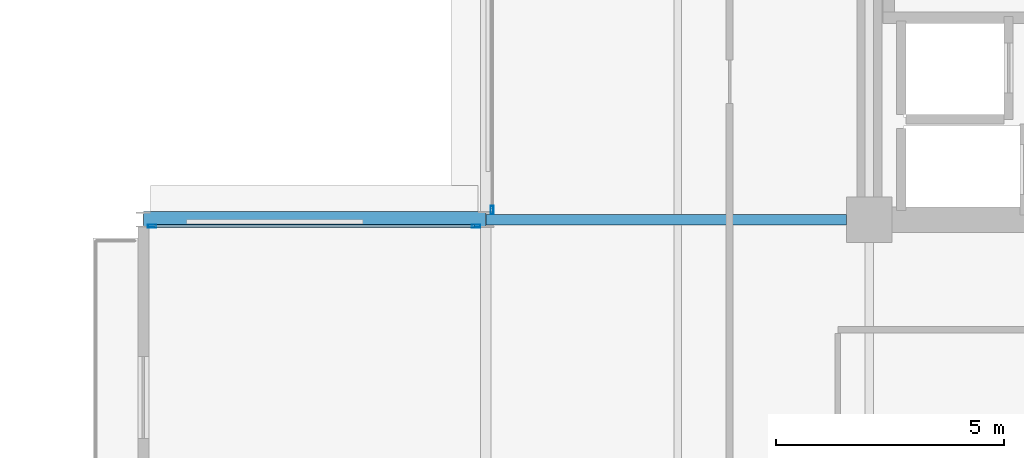
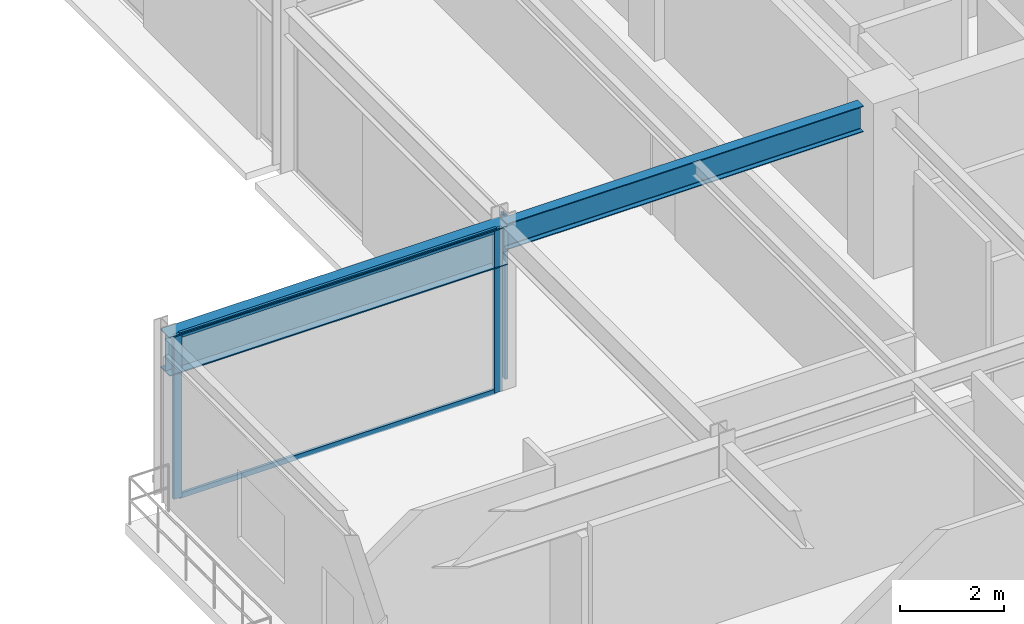
# One storey, part 9 of 29: 5 members, 2 beams, 2 elements without a shape of their own.
"""IFC4 building model written with IfcOpenShell, lengths in metres."""

import ifcopenshell
import ifcopenshell.guid

model = None  # the IFC model being written
_history = None  # IfcOwnerHistory: only IFC2X3 demands one
_inside = {}  # id of a spatial element -> (the spatial element, [elements in it])
_under = {}  # id of a project, library or spatial element -> (it, [spatial elements below it])
_declared = {}  # id of a project -> (the project, [libraries it declares])
_typed = {}  # id of a type object -> (the type object, [elements of that type])
_made_of = {}  # id of a material, layer set ... -> (it, [elements and type objects made of it])


def new_model(schema):
    """Start an empty IFC model of exactly this schema.

    Asked for "IFC4X3", IfcOpenShell would pick the latest addendum, in which some entities
    have other attributes; the version numbers below select the first issue.
    IFC2X3 requires an IfcOwnerHistory on every rooted entity: one is made here for all.
    """
    global model, _history
    if schema == "IFC4X3":
        model = ifcopenshell.file(schema_version=(4, 3, 0, 0))
    else:
        model = ifcopenshell.file(schema=schema)
    _inside.clear()
    _under.clear()
    _declared.clear()
    _typed.clear()
    _made_of.clear()
    _history = None
    if model.schema == "IFC2X3":
        org = make("IfcOrganization", Name="unknown")
        user = make(
            "IfcPersonAndOrganization",
            ThePerson=make("IfcPerson", FamilyName="unknown"),
            TheOrganization=org,
        )
        app = make(
            "IfcApplication",
            ApplicationDeveloper=org,
            Version="unknown",
            ApplicationFullName="unknown",
            ApplicationIdentifier="unknown",
        )
        _history = make(
            "IfcOwnerHistory",
            OwningUser=user,
            OwningApplication=app,
            ChangeAction="ADDED",
            CreationDate=0,
        )
    return model


def make(cls, **values):
    """One entity of the class cls with the attributes given. An attribute that is None is left unset."""
    return model.create_entity(
        cls, **{name: value for name, value in values.items() if value is not None}
    )


def rooted(cls, **values):
    """An entity with a GlobalId (a new one), such as an element, a storey or a relation."""
    return make(cls, GlobalId=ifcopenshell.guid.new(), OwnerHistory=_history, **values)


def si_unit(unit_type, name, prefix=None):
    """IfcSIUnit, for example si_unit("LENGTHUNIT", "METRE", prefix="MILLI")."""
    return make("IfcSIUnit", UnitType=unit_type, Prefix=prefix, Name=name)


def assignment(units):
    """IfcUnitAssignment: the units of a project."""
    return None if units is None else make("IfcUnitAssignment", Units=units)


def point(xyz):
    """IfcCartesianPoint."""
    return None if xyz is None else make("IfcCartesianPoint", Coordinates=xyz)


def direction(xyz):
    """IfcDirection."""
    return None if xyz is None else make("IfcDirection", DirectionRatios=xyz)


def frame(location, z_axis=None, x_axis=None):
    """IfcAxis2Placement3D, a coordinate frame: its origin and axes. An axis left out is left unset."""
    return make(
        "IfcAxis2Placement3D",
        Location=point(location),
        Axis=direction(z_axis),
        RefDirection=direction(x_axis),
    )


def frame_2d(location, x_axis=None):
    """IfcAxis2Placement2D, a coordinate frame in the plane: its origin and x axis."""
    return make(
        "IfcAxis2Placement2D", Location=point(location), RefDirection=direction(x_axis)
    )


def origin():
    """The frame at (0, 0, 0) with its axes left unset."""
    return frame((0.0, 0.0, 0.0))


def origin_2d():
    """The frame at (0, 0) in the plane with its x axis left unset."""
    return frame_2d((0.0, 0.0))


def place(relative_to, where):
    """IfcLocalPlacement: puts the frame where relative to a parent placement (None: the world)."""
    return make(
        "IfcLocalPlacement", PlacementRelTo=relative_to, RelativePlacement=where
    )


def context(
    kind, dimensions, precision=None, world=None, true_north=None, identifier=None
):
    """IfcGeometricRepresentationContext, for example the 3D "Model" context."""
    return make(
        "IfcGeometricRepresentationContext",
        ContextIdentifier=identifier,
        ContextType=kind,
        CoordinateSpaceDimension=dimensions,
        Precision=precision,
        WorldCoordinateSystem=world,
        TrueNorth=true_north,
    )


def subcontext(parent, identifier, kind, view, scale=None):
    """IfcGeometricRepresentationSubContext, for example "Body" below "Model"."""
    return make(
        "IfcGeometricRepresentationSubContext",
        ContextIdentifier=identifier,
        ContextType=kind,
        ParentContext=parent,
        TargetScale=scale,
        TargetView=view,
    )


def project(units=None, contexts=None):
    """IfcProject with its units and contexts."""
    return rooted(
        "IfcProject",
        Name="project",
        RepresentationContexts=contexts,
        UnitsInContext=assignment(units),
    )


def spatial(cls, under=None, at=None, **own):
    """A site, building, storey or space (cls), placed at a placement, below another one or the project."""
    s = rooted(cls, ObjectPlacement=at, **own)
    if under is not None:
        _under.setdefault(under.id(), (under, []))[1].append(s)
    return s


def profile(cls, at=None, kind="AREA", **sizes):
    """A parametric profile (cls). Its sizes go by their IFC names, for example OverallWidth=200.0."""
    return make(cls, ProfileType=kind, Position=at, **sizes)


def hollow_rectangle(**sizes):
    """IfcRectangleHollowProfileDef."""
    return profile("IfcRectangleHollowProfileDef", **sizes)


def i_section(**sizes):
    """IfcIShapeProfileDef."""
    return profile("IfcIShapeProfileDef", **sizes)


def extrude(swept, where, along, depth):
    """IfcExtrudedAreaSolid: the profile swept, set in the frame where, extruded along a direction by depth."""
    return make(
        "IfcExtrudedAreaSolid",
        SweptArea=swept,
        Position=where,
        ExtrudedDirection=direction(along),
        Depth=depth,
    )


def shape(context_of_items, identifier, shape_type, items):
    """IfcShapeRepresentation: the items that make up one representation, for example the "Body"."""
    return make(
        "IfcShapeRepresentation",
        ContextOfItems=context_of_items,
        RepresentationIdentifier=identifier,
        RepresentationType=shape_type,
        Items=items,
    )


def material(Name=None, Category=None):
    """IfcMaterial."""
    return make("IfcMaterial", Name=Name, Category=Category)


def layer(
    of_material, thickness, ventilated=None, Name=None, Category=None, Priority=None
):
    """IfcMaterialLayer: one layer of a wall or slab, of a material (None: an air gap)."""
    return make(
        "IfcMaterialLayer",
        Material=of_material,
        LayerThickness=thickness,
        IsVentilated=ventilated,
        Name=Name,
        Category=Category,
        Priority=Priority,
    )


def layer_set(layers, Name=None):
    """IfcMaterialLayerSet."""
    return make("IfcMaterialLayerSet", MaterialLayers=layers, LayerSetName=Name)


def material_profile(
    of_material, cross_section, Name=None, Category=None, Priority=None
):
    """IfcMaterialProfile: a cross section and its material."""
    return make(
        "IfcMaterialProfile",
        Name=Name,
        Material=of_material,
        Profile=cross_section,
        Priority=Priority,
        Category=Category,
    )


def profile_set(profiles, Name=None, composite=None):
    """IfcMaterialProfileSet."""
    return make(
        "IfcMaterialProfileSet",
        Name=Name,
        MaterialProfiles=profiles,
        CompositeProfile=composite,
    )


def made_of(thing, what):
    """Note that an element or type object is made of a material, layer set ...; save() writes the relation."""
    if what is not None:
        _made_of.setdefault(what.id(), (what, []))[1].append(thing)
    return thing


def type_object(cls, material=None, **own):
    """A type object (cls), such as IfcWallType, which elements share."""
    return made_of(rooted(cls, **own), material)


def element(
    cls,
    number,
    at=None,
    inside=None,
    cuts=None,
    type_object=None,
    material=None,
    context=None,
    identifier="Body",
    shape_type=None,
    held_by="IfcProductDefinitionShape",
    body=None,
    shapes=None,
    **own,
):
    """One element of the class cls, such as IfcWall. Its Tag is "e" and its number.

    at: its placement. inside: the storey or other place that contains it. cuts: it is an
    opening in that element (IfcRelVoidsElement). A single representation is given by context,
    identifier, shape_type and body (its items); several are given by shapes. held_by: the class
    of the entity that holds the representations. save() writes the other relations.
    """
    e = rooted(cls, Tag="e%d" % number, ObjectPlacement=at, **own)
    if body is not None:
        shapes = [shape(context, identifier, shape_type, body)]
    if shapes is not None:
        e.Representation = make(held_by, Representations=shapes)
    if inside is not None:
        _inside.setdefault(inside.id(), (inside, []))[1].append(e)
    if cuts is not None:
        rooted(
            "IfcRelVoidsElement", RelatingBuildingElement=cuts, RelatedOpeningElement=e
        )
    if type_object is not None:
        _typed.setdefault(type_object.id(), (type_object, []))[1].append(e)
    return made_of(e, material)


def aggregate(whole, parts):
    """IfcRelAggregates: a whole, such as a stair, and the parts it consists of."""
    return rooted("IfcRelAggregates", RelatingObject=whole, RelatedObjects=parts)


def save(model, path):
    """Write the relations noted so far, then the file.

    IfcRelAggregates (storeys below a building ...), IfcRelContainedInSpatialStructure (elements
    in a storey), IfcRelDefinesByType, IfcRelAssociatesMaterial and IfcRelDeclares: one each for
    every whole, place, type object, material and project.
    """
    for whole, parts in _under.values():
        aggregate(whole, parts)
    for where, things in _inside.values():
        rooted(
            "IfcRelContainedInSpatialStructure",
            RelatedElements=things,
            RelatingStructure=where,
        )
    for kind, things in _typed.values():
        rooted("IfcRelDefinesByType", RelatedObjects=things, RelatingType=kind)
    for what, things in _made_of.values():
        rooted("IfcRelAssociatesMaterial", RelatedObjects=things, RelatingMaterial=what)
    for by, libraries in _declared.values():
        rooted("IfcRelDeclares", RelatingContext=by, RelatedDefinitions=libraries)
    model.write(path)


model = new_model("IFC4")

# Units and contexts
model_context = context("Model", 3, precision=1e-05, world=origin(), true_north=direction((0.0, 1.0)))
body_context = subcontext(model_context, "Body", "Model", "MODEL_VIEW")
ifc_project = project(units=[si_unit("LENGTHUNIT", "METRE"), si_unit("AREAUNIT", "SQUARE_METRE"), si_unit("VOLUMEUNIT", "CUBIC_METRE"), si_unit("PLANEANGLEUNIT", "RADIAN"), si_unit("MASSUNIT", "GRAM", prefix="KILO")], contexts=[model_context])

# Site, building, storey
site_placement = place(None, origin())
site = spatial("IfcSite", under=ifc_project, at=site_placement, CompositionType="ELEMENT")
building_placement = place(site_placement, origin())
building = spatial("IfcBuilding", under=site, at=building_placement, Name="Nerrivon Quay Data Exchange", CompositionType="ELEMENT")
storey_placement = place(building_placement, frame((0.0, 0.0, 204.199951171875)))
storey = spatial("IfcBuildingStorey", under=building, at=storey_placement, Name="L48", CompositionType="ELEMENT", Elevation=204.199951171875)

# Beams
ifc_material_1 = material(Name="Steel Grade 350", Category="steel")
ifc_material_profile_1 = material_profile(ifc_material_1, i_section(OverallWidth=0.35009765625, OverallDepth=0.909912109375, WebThickness=0.011962890625, FlangeThickness=0.02490234375, at=origin_2d()), Name="900WB218")
ifc_profile_set_1 = profile_set([ifc_material_profile_1], Name="Steel Grade 350")
beam_type_1 = type_object("IfcBeamType", Name="BM-CANT-900WB", PredefinedType="USERDEFINED", material=ifc_profile_set_1)
beam_1_placement = place(storey_placement, frame((-0.010009765625, 25.199951171875, 3.3701171875), z_axis=(-1.0, 0.0, 0.0), x_axis=(0.0, -1.0, 0.0)))
element("IfcBeam", 1, at=beam_1_placement, inside=storey, type_object=beam_type_1, Name="L48 West Hooked Cantilever Girder Y=25.2", ObjectType="TRANSFER", PredefinedType="USERDEFINED", context=body_context, shape_type="SweptSolid", body=[
    extrude(i_section(OverallWidth=0.35009765625, OverallDepth=0.909912109375, WebThickness=0.011962890625, FlangeThickness=0.02490234375, at=origin_2d()), origin(), (0.0, 0.0, 1.0), 7.482177734375),
])
ifc_material_profile_2 = material_profile(ifc_material_1, i_section(OverallWidth=0.22900390625, OverallDepth=0.612060546875, WebThickness=0.011962890625, FlangeThickness=0.01953125, FilletRadius=0.013916015625, at=origin_2d()), Name="610UB125")
ifc_profile_set_2 = profile_set([ifc_material_profile_2], Name="Steel Grade 350")
beam_type_2 = type_object("IfcBeamType", Name="BM-G1-610UB125", PredefinedType="BEAM", material=ifc_profile_set_2)
beam_2_placement = place(storey_placement, frame((0.010009765625, 25.199951171875, 3.51904296875), z_axis=(1.0, 0.0, 0.0), x_axis=(0.0, 1.0, 0.0)))
element("IfcBeam", 2, at=beam_2_placement, inside=storey, type_object=beam_type_2, Name="L48 EW Girder Y=25.2 (0.0..8.4)", PredefinedType="BEAM", context=body_context, shape_type="SweptSolid", body=[
    extrude(i_section(OverallWidth=0.22900390625, OverallDepth=0.612060546875, WebThickness=0.011962890625, FlangeThickness=0.01953125, FilletRadius=0.013916015625, at=origin_2d()), origin(), (0.0, 0.0, 1.0), 7.889892578125),
])

# Curtain wall, members
ifc_material_2 = material(Name="Anodised aluminium 6063-T6", Category="aluminium")
ifc_layer_1 = layer(ifc_material_2, 0.199951171875)
ifc_layer_set_1 = layer_set([ifc_layer_1], Name="Anodised aluminium 6063-T6")
curtain_wall_type_1 = type_object("IfcCurtainWallType", Name="CW-SYS-04", PredefinedType="NOTDEFINED", material=ifc_layer_set_1)
curtain_wall_1_placement = place(storey_placement, origin())
curtain_wall_1 = element("IfcCurtainWall", 3, at=curtain_wall_1_placement, inside=storey, type_object=curtain_wall_type_1, Name="L48 Unitised Curtain Wall 3", PredefinedType="NOTDEFINED")
ifc_material_profile_3 = material_profile(ifc_material_2, hollow_rectangle(XDim=0.06494140625, YDim=0.179931640625, WallThickness=0.00341796875, at=origin_2d()), Name="ALU-MULL-180x65")
ifc_profile_set_3 = profile_set([ifc_material_profile_3], Name="Anodised aluminium 6063-T6")
member_type_1 = type_object("IfcMemberType", Name="CWM-180x65", PredefinedType="MULLION", material=ifc_profile_set_3)
member_1_placement = place(storey_placement, frame((-7.306884765625, 25.06005859375, 0.0), z_axis=(0.0, 0.0, 1.0), x_axis=(0.0, 1.0, 0.0)))
member_1 = element("IfcMember", 4, at=member_1_placement, type_object=member_type_1, Name="CW04 mullion 1", PredefinedType="MULLION", context=body_context, shape_type="SweptSolid", body=[
    extrude(hollow_rectangle(XDim=0.06494140625, YDim=0.179931640625, WallThickness=0.00341796875, at=origin_2d()), origin(), (0.0, 0.0, 1.0), 3.824951171875),
])
member_2_placement = place(storey_placement, frame((-0.21240234375, 25.06005859375, 0.0), z_axis=(0.0, 0.0, 1.0), x_axis=(0.0, 1.0, 0.0)))
member_2 = element("IfcMember", 5, at=member_2_placement, type_object=member_type_1, Name="CW04 mullion 2", PredefinedType="MULLION", context=body_context, shape_type="SweptSolid", body=[
    extrude(hollow_rectangle(XDim=0.06494140625, YDim=0.179931640625, WallThickness=0.00341796875, at=origin_2d()), origin(), (0.0, 0.0, 1.0), 3.824951171875),
])

# Curtain wall, member
ifc_layer_2 = layer(ifc_material_2, 0.195068359375)
ifc_layer_set_2 = layer_set([ifc_layer_2], Name="Anodised aluminium 6063-T6")
curtain_wall_type_2 = type_object("IfcCurtainWallType", Name="CW-SYS-06", PredefinedType="NOTDEFINED", material=ifc_layer_set_2)
curtain_wall_2_placement = place(storey_placement, origin())
curtain_wall_2 = element("IfcCurtainWall", 6, at=curtain_wall_2_placement, inside=storey, type_object=curtain_wall_type_2, Name="L48 Unitised Curtain Wall 4", PredefinedType="NOTDEFINED")
member_3_placement = place(storey_placement, frame((0.139892578125, 25.41259765625, 0.0), z_axis=(0.0, 0.0, 1.0), x_axis=(-1.0, 0.0, 0.0)))
member_3 = element("IfcMember", 7, at=member_3_placement, type_object=member_type_1, Name="CW06 mullion 1", PredefinedType="MULLION", context=body_context, shape_type="SweptSolid", body=[
    extrude(hollow_rectangle(XDim=0.06494140625, YDim=0.179931640625, WallThickness=0.00341796875, at=origin_2d()), origin(), (0.0, 0.0, 1.0), 3.824951171875),
])
aggregate(curtain_wall_2, [member_3])

# Member
ifc_material_profile_4 = material_profile(ifc_material_2, hollow_rectangle(XDim=0.06005859375, YDim=0.1201171875, WallThickness=0.003173828125, at=origin_2d()), Name="ALU-TRAN-120x60")
ifc_profile_set_4 = profile_set([ifc_material_profile_4], Name="Anodised aluminium 6063-T6")
member_type_2 = type_object("IfcMemberType", Name="CWT-120x60", PredefinedType="USERDEFINED", material=ifc_profile_set_4)
member_4_placement = place(storey_placement, frame((-7.26953125, 25.06005859375, 0.032470703125), z_axis=(1.0, 0.0, 0.0), x_axis=(0.0, 1.0, 0.0)))
member_4 = element("IfcMember", 8, at=member_4_placement, type_object=member_type_2, Name="CW04 transom 1.1", ObjectType="TRANSOM", PredefinedType="USERDEFINED", context=body_context, shape_type="SweptSolid", body=[
    extrude(hollow_rectangle(XDim=0.06005859375, YDim=0.1201171875, WallThickness=0.003173828125, at=origin_2d()), origin(), (0.0, 0.0, 1.0), 7.01953125),
])

member_5_placement = place(storey_placement, frame((-7.26953125, 25.06005859375, 3.79248046875), z_axis=(1.0, 0.0, 0.0), x_axis=(0.0, 1.0, 0.0)))
member_5 = element("IfcMember", 9, at=member_5_placement, type_object=member_type_2, Name="CW04 transom 1.2", ObjectType="TRANSOM", PredefinedType="USERDEFINED", context=body_context, shape_type="SweptSolid", body=[
    extrude(hollow_rectangle(XDim=0.06005859375, YDim=0.1201171875, WallThickness=0.003173828125, at=origin_2d()), origin(), (0.0, 0.0, 1.0), 7.01953125),
])

aggregate(curtain_wall_1, [member_1, member_2, member_4, member_5])

save(model, "model.ifc")
